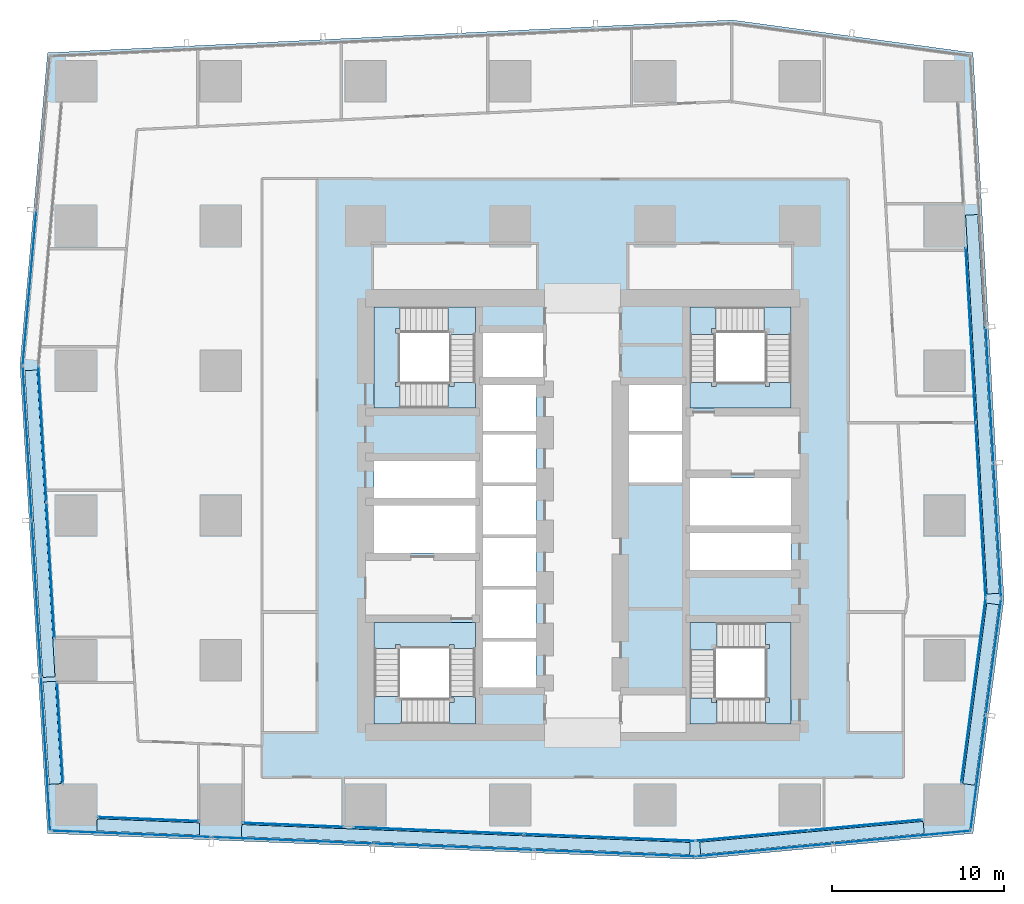
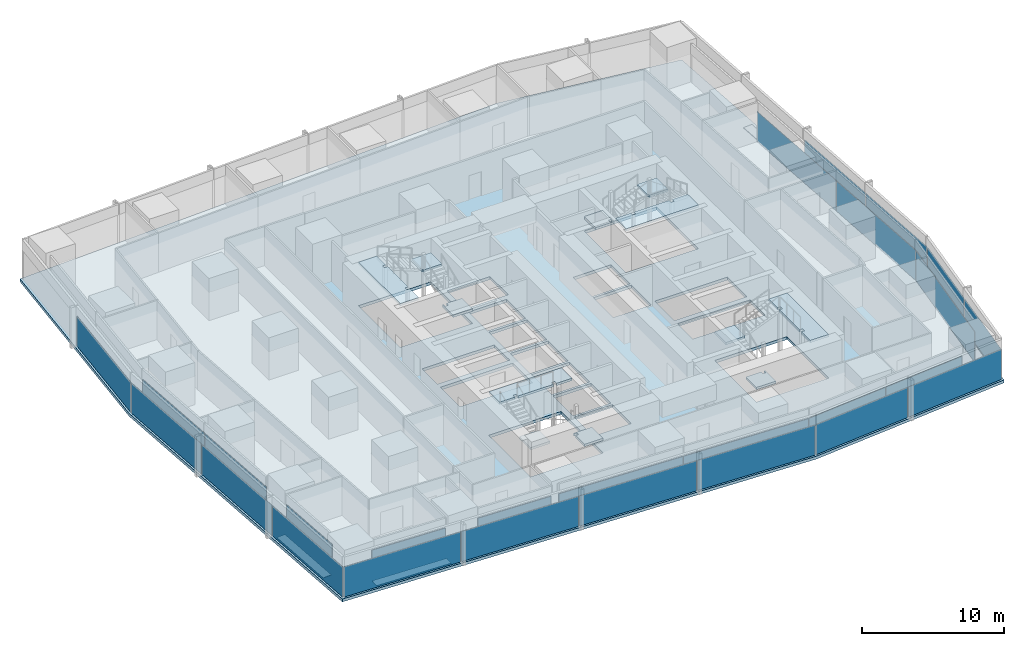
# One storey, part 23 of 37: 33 plates, 13 slabs, 18 elements without a shape of their own.
"""IFC4 building model written with IfcOpenShell, lengths in metres."""

from ifc_helpers import new_model, si_unit, direction, frame, origin, origin_2d, place, context, subcontext, project, spatial, polyline, rectangle, outline, extrude, material, layer, layer_set, type_object, element, aggregate, save


model = new_model("IFC4")

# Units and contexts
model_context = context("Model", 3, precision=1e-05, world=origin(), true_north=direction((0.0, 1.0)))
body_context = subcontext(model_context, "Body", "Model", "MODEL_VIEW")
ifc_project = project(units=[si_unit("LENGTHUNIT", "METRE"), si_unit("AREAUNIT", "SQUARE_METRE"), si_unit("VOLUMEUNIT", "CUBIC_METRE"), si_unit("PLANEANGLEUNIT", "RADIAN"), si_unit("MASSUNIT", "GRAM", prefix="KILO")], contexts=[model_context])

# Site, building, storey
site_placement = place(None, origin())
site = spatial("IfcSite", under=ifc_project, at=site_placement, CompositionType="ELEMENT")
building_placement = place(site_placement, origin())
building = spatial("IfcBuilding", under=site, at=building_placement, Name="Rekha Terrace Tower", CompositionType="ELEMENT")
storey_placement = place(building_placement, frame((0.0, 0.0, 232.699951171875)))
storey = spatial("IfcBuildingStorey", under=building, at=storey_placement, Name="L59", CompositionType="ELEMENT", Elevation=232.699951171875)

# Curtain wall, plate
ifc_material_1 = material(Name="Aluminium framing", Category="aluminium")
curtain_wall_type_1 = type_object("IfcCurtainWallType", Name="CW1 double skin inner glazing", PredefinedType="USERDEFINED", material=ifc_material_1)
curtain_wall_1_placement = place(storey_placement, origin())
curtain_wall_1 = element("IfcCurtainWall", 1, at=curtain_wall_1_placement, inside=storey, type_object=curtain_wall_type_1, Name="CW1 double skin inner glazing", ObjectType="DOUBLE SKIN INNER GLAZING", PredefinedType="USERDEFINED")
ifc_material_2 = material(Name="Double-glazed low-e unit 32", Category="glass")
ifc_layer_1 = layer(ifc_material_2, 0.031982421875)
ifc_layer_set_1 = layer_set([ifc_layer_1], Name="Double-glazed low-e unit 32")
plate_type_1 = type_object("IfcPlateType", Name="CW1 jumbo vision panel, double-glazed low-e unit 32", PredefinedType="CURTAIN_PANEL", material=ifc_layer_set_1)
plate_1_placement = place(storey_placement, frame((12.60009765625, 15.977294921875, 0.0), z_axis=(0.0, 0.0, 1.0), x_axis=(0.999204775798, -0.039872497078, 0.0)))
plate_1 = element("IfcPlate", 2, at=plate_1_placement, type_object=plate_type_1, Name="CW1 panel 1.1", PredefinedType="CURTAIN_PANEL", context=body_context, shape_type="SweptSolid", body=[
    extrude(rectangle(XDim=5.8271484375, YDim=0.031982421875, at=origin_2d()), origin(), (0.0, 0.0, 1.0), 2.60009765625),
])
aggregate(curtain_wall_1, [plate_1])

curtain_wall_2_placement = place(storey_placement, origin())
curtain_wall_2 = element("IfcCurtainWall", 3, at=curtain_wall_2_placement, inside=storey, type_object=curtain_wall_type_1, Name="CW1 double skin inner glazing", ObjectType="DOUBLE SKIN INNER GLAZING", PredefinedType="USERDEFINED")
plate_2_placement = place(storey_placement, frame((21.0, 15.64208984375, 0.0), z_axis=(0.0, 0.0, 1.0), x_axis=(0.999204775798, -0.039872497078, 0.0)))
plate_2 = element("IfcPlate", 4, at=plate_2_placement, type_object=plate_type_1, Name="CW1 panel 1.1", PredefinedType="CURTAIN_PANEL", context=body_context, shape_type="SweptSolid", body=[
    extrude(rectangle(XDim=5.8271484375, YDim=0.031982421875, at=origin_2d()), origin(), (0.0, 0.0, 1.0), 2.60009765625),
])
aggregate(curtain_wall_2, [plate_2])

# Curtain wall, plates
curtain_wall_3_placement = place(storey_placement, origin())
curtain_wall_3 = element("IfcCurtainWall", 5, at=curtain_wall_3_placement, inside=storey, type_object=curtain_wall_type_1, Name="CW1 double skin inner glazing", ObjectType="DOUBLE SKIN INNER GLAZING", PredefinedType="USERDEFINED")
plate_3_placement = place(storey_placement, frame((29.4365234375, 15.3056640625, 0.0), z_axis=(0.0, 0.0, 1.0), x_axis=(0.999204775799, -0.039872497044, 0.0)))
plate_3 = element("IfcPlate", 6, at=plate_3_placement, type_object=plate_type_1, Name="CW1 panel 1.1", PredefinedType="CURTAIN_PANEL", context=body_context, shape_type="SweptSolid", body=[
    extrude(rectangle(XDim=9.838134765625, YDim=0.031982421875, at=origin_2d()), origin(), (0.0, 0.0, 1.0), 2.60009765625),
])
plate_4_placement = place(storey_placement, frame((39.3642578125, 14.909423828125, 0.0), z_axis=(0.0, 0.0, 1.0), x_axis=(0.999204775799, -0.039872497044, 0.0)))
plate_4 = element("IfcPlate", 7, at=plate_4_placement, type_object=plate_type_1, Name="CW1 panel 2.1", PredefinedType="CURTAIN_PANEL", context=body_context, shape_type="SweptSolid", body=[
    extrude(rectangle(XDim=9.903076171875, YDim=0.031982421875, at=origin_2d()), origin(), (0.0, 0.0, 1.0), 2.60009765625),
])
aggregate(curtain_wall_3, [plate_3, plate_4])

curtain_wall_4_placement = place(storey_placement, origin())
curtain_wall_4 = element("IfcCurtainWall", 8, at=curtain_wall_4_placement, inside=storey, type_object=curtain_wall_type_1, Name="CW1 double skin inner glazing", ObjectType="DOUBLE SKIN INNER GLAZING", PredefinedType="USERDEFINED")
plate_5_placement = place(storey_placement, frame((47.642822265625, 15.022216796875, 0.0), z_axis=(0.0, 0.0, 1.0), x_axis=(0.995693258744, 0.092708869546, 0.0)))
plate_5 = element("IfcPlate", 9, at=plate_5_placement, type_object=plate_type_1, Name="CW1 panel 1.1", PredefinedType="CURTAIN_PANEL", context=body_context, shape_type="SweptSolid", body=[
    extrude(rectangle(XDim=6.560791015625, YDim=0.031982421875, at=origin_2d()), origin(), (0.0, 0.0, 1.0), 2.60009765625),
])
plate_6_placement = place(storey_placement, frame((54.240234375, 15.636474609375, 0.0), z_axis=(0.0, 0.0, 1.0), x_axis=(0.995693258744, 0.092708869546, 0.0)))
plate_6 = element("IfcPlate", 10, at=plate_6_placement, type_object=plate_type_1, Name="CW1 panel 2.1", PredefinedType="CURTAIN_PANEL", context=body_context, shape_type="SweptSolid", body=[
    extrude(rectangle(XDim=6.560791015625, YDim=0.031982421875, at=origin_2d()), origin(), (0.0, 0.0, 1.0), 2.60009765625),
])
aggregate(curtain_wall_4, [plate_5, plate_6])

# Curtain wall, plate
curtain_wall_5_placement = place(storey_placement, origin())
curtain_wall_5 = element("IfcCurtainWall", 11, at=curtain_wall_5_placement, inside=storey, type_object=curtain_wall_type_1, Name="CW1 double skin inner glazing", ObjectType="DOUBLE SKIN INNER GLAZING", PredefinedType="USERDEFINED")
plate_7_placement = place(storey_placement, frame((60.478515625, 23.438232421875, 0.0), z_axis=(0.0, 0.0, 1.0), x_axis=(0.131303603041, 0.991342203191, 0.0)))
plate_7 = element("IfcPlate", 12, at=plate_7_placement, type_object=plate_type_1, Name="CW1 panel 1.1", PredefinedType="CURTAIN_PANEL", context=body_context, shape_type="SweptSolid", body=[
    extrude(rectangle(XDim=10.7763671875, YDim=0.031982421875, at=origin_2d()), origin(), (0.0, 0.0, 1.0), 2.60009765625),
])
aggregate(curtain_wall_5, [plate_7])

# Curtain wall, plates
curtain_wall_6_placement = place(storey_placement, origin())
curtain_wall_6 = element("IfcCurtainWall", 13, at=curtain_wall_6_placement, inside=storey, type_object=curtain_wall_type_1, Name="CW1 double skin inner glazing", ObjectType="DOUBLE SKIN INNER GLAZING", PredefinedType="USERDEFINED")
plate_8_placement = place(storey_placement, frame((60.8955078125, 33.896484375, 0.0), z_axis=(0.0, 0.0, 1.0), x_axis=(-0.056673194877, 0.998392782918, 0.0)))
plate_8 = element("IfcPlate", 14, at=plate_8_placement, type_object=plate_type_1, Name="CW1 panel 1.1", PredefinedType="CURTAIN_PANEL", context=body_context, shape_type="SweptSolid", body=[
    extrude(rectangle(XDim=10.11962890625, YDim=0.031982421875, at=origin_2d()), origin(), (0.0, 0.0, 1.0), 2.60009765625),
])
plate_9_placement = place(storey_placement, frame((60.318359375, 44.06494140625, 0.0), z_axis=(0.0, 0.0, 1.0), x_axis=(-0.056673194877, 0.998392782918, 0.0)))
plate_9 = element("IfcPlate", 15, at=plate_9_placement, type_object=plate_type_1, Name="CW1 panel 2.1", PredefinedType="CURTAIN_PANEL", context=body_context, shape_type="SweptSolid", body=[
    extrude(rectangle(XDim=10.11962890625, YDim=0.031982421875, at=origin_2d()), origin(), (0.0, 0.0, 1.0), 2.60009765625),
])
aggregate(curtain_wall_6, [plate_8, plate_9])

curtain_wall_7_placement = place(storey_placement, origin())
curtain_wall_7 = element("IfcCurtainWall", 16, at=curtain_wall_7_placement, inside=storey, type_object=curtain_wall_type_1, Name="CW1 double skin inner glazing", ObjectType="DOUBLE SKIN INNER GLAZING", PredefinedType="USERDEFINED")
plate_10_placement = place(storey_placement, frame((6.44775390625, 38.323974609375, 0.0), z_axis=(0.0, 0.0, 1.0), x_axis=(0.058765082551, -0.998271839267, 0.0)))
plate_10 = element("IfcPlate", 17, at=plate_10_placement, type_object=plate_type_1, Name="CW1 panel 1.1", PredefinedType="CURTAIN_PANEL", context=body_context, shape_type="SweptSolid", body=[
    extrude(rectangle(XDim=7.864990234375, YDim=0.031982421875, at=origin_2d()), origin(), (0.0, 0.0, 1.0), 2.60009765625),
])
plate_11_placement = place(storey_placement, frame((6.91357421875, 30.407470703125, 0.0), z_axis=(0.0, 0.0, 1.0), x_axis=(0.058765082551, -0.998271839267, 0.0)))
plate_11 = element("IfcPlate", 18, at=plate_11_placement, type_object=plate_type_1, Name="CW1 panel 2.1", PredefinedType="CURTAIN_PANEL", context=body_context, shape_type="SweptSolid", body=[
    extrude(rectangle(XDim=7.864990234375, YDim=0.031982421875, at=origin_2d()), origin(), (0.0, 0.0, 1.0), 2.60009765625),
])
aggregate(curtain_wall_7, [plate_10, plate_11])

# Curtain wall, plate
curtain_wall_8_placement = place(storey_placement, origin())
curtain_wall_8 = element("IfcCurtainWall", 19, at=curtain_wall_8_placement, inside=storey, type_object=curtain_wall_type_1, Name="CW1 double skin inner glazing", ObjectType="DOUBLE SKIN INNER GLAZING", PredefinedType="USERDEFINED")
plate_12_placement = place(storey_placement, frame((7.467529296875, 21.0, 0.0), z_axis=(0.0, 0.0, 1.0), x_axis=(0.058765082499, -0.99827183927, 0.0)))
plate_12 = element("IfcPlate", 20, at=plate_12_placement, type_object=plate_type_1, Name="CW1 panel 1.1", PredefinedType="CURTAIN_PANEL", context=body_context, shape_type="SweptSolid", body=[
    extrude(rectangle(XDim=5.8291015625, YDim=0.031982421875, at=origin_2d()), origin(), (0.0, 0.0, 1.0), 2.60009765625),
])
aggregate(curtain_wall_8, [plate_12])

# Curtain wall, plates
curtain_wall_type_2 = type_object("IfcCurtainWallType", Name="CW2 double skin outer glazing", PredefinedType="USERDEFINED", material=ifc_material_1)
curtain_wall_9_placement = place(storey_placement, origin())
curtain_wall_9 = element("IfcCurtainWall", 21, at=curtain_wall_9_placement, inside=storey, type_object=curtain_wall_type_2, Name="CW2 double skin outer glazing", ObjectType="DOUBLE SKIN OUTER GLAZING", PredefinedType="USERDEFINED")
ifc_material_3 = material(Name="Toughened single glazing 12", Category="glass")
ifc_layer_2 = layer(ifc_material_3, 0.011962890625)
ifc_layer_set_2 = layer_set([ifc_layer_2], Name="Toughened single glazing 12")
plate_type_2 = type_object("IfcPlateType", Name="CW2 jumbo vision panel, toughened single glazing 12", PredefinedType="CURTAIN_PANEL", material=ifc_layer_set_2)
plate_13_placement = place(storey_placement, frame((11.6005859375, 15.116455078125, 0.0), z_axis=(0.0, 0.0, 1.0), x_axis=(0.999204775799, -0.039872497044, 0.0)))
plate_13 = element("IfcPlate", 22, at=plate_13_placement, type_object=plate_type_2, Name="CW2 panel 1.1", PredefinedType="CURTAIN_PANEL", context=body_context, shape_type="SweptSolid", body=[
    extrude(rectangle(XDim=9.24609375, YDim=0.011962890625, at=origin_2d()), origin(), (0.0, 0.0, 1.0), 2.60009765625),
])
plate_14_placement = place(storey_placement, frame((20.939208984375, 14.743896484375, 0.0), z_axis=(0.0, 0.0, 1.0), x_axis=(0.999204775799, -0.039872497044, 0.0)))
plate_14 = element("IfcPlate", 23, at=plate_14_placement, type_object=plate_type_2, Name="CW2 panel 2.1", PredefinedType="CURTAIN_PANEL", context=body_context, shape_type="SweptSolid", body=[
    extrude(rectangle(XDim=9.2861328125, YDim=0.011962890625, at=origin_2d()), origin(), (0.0, 0.0, 1.0), 2.60009765625),
])
plate_15_placement = place(storey_placement, frame((30.2978515625, 14.370361328125, 0.0), z_axis=(0.0, 0.0, 1.0), x_axis=(0.999204775799, -0.039872497044, 0.0)))
plate_15 = element("IfcPlate", 24, at=plate_15_placement, type_object=plate_type_2, Name="CW2 panel 3.1", PredefinedType="CURTAIN_PANEL", context=body_context, shape_type="SweptSolid", body=[
    extrude(rectangle(XDim=9.2861328125, YDim=0.011962890625, at=origin_2d()), origin(), (0.0, 0.0, 1.0), 2.60009765625),
])
plate_16_placement = place(storey_placement, frame((39.676513671875, 13.996337890625, 0.0), z_axis=(0.0, 0.0, 1.0), x_axis=(0.999204775799, -0.039872497044, 0.0)))
plate_16 = element("IfcPlate", 25, at=plate_16_placement, type_object=plate_type_2, Name="CW2 panel 4.1", PredefinedType="CURTAIN_PANEL", context=body_context, shape_type="SweptSolid", body=[
    extrude(rectangle(XDim=9.326171875, YDim=0.011962890625, at=origin_2d()), origin(), (0.0, 0.0, 1.0), 2.60009765625),
])
aggregate(curtain_wall_9, [plate_13, plate_14, plate_15, plate_16])

curtain_wall_10_placement = place(storey_placement, origin())
curtain_wall_10 = element("IfcCurtainWall", 26, at=curtain_wall_10_placement, inside=storey, type_object=curtain_wall_type_2, Name="CW2 double skin outer glazing", ObjectType="DOUBLE SKIN OUTER GLAZING", PredefinedType="USERDEFINED")
plate_17_placement = place(storey_placement, frame((48.348876953125, 14.183837890625, 0.0), z_axis=(0.0, 0.0, 1.0), x_axis=(0.995693258747, 0.092708869512, 0.0)))
plate_17 = element("IfcPlate", 27, at=plate_17_placement, type_object=plate_type_2, Name="CW2 panel 1.1", PredefinedType="CURTAIN_PANEL", context=body_context, shape_type="SweptSolid", body=[
    extrude(rectangle(XDim=7.900634765625, YDim=0.011962890625, at=origin_2d()), origin(), (0.0, 0.0, 1.0), 2.60009765625),
])
plate_18_placement = place(storey_placement, frame((56.3349609375, 14.927490234375, 0.0), z_axis=(0.0, 0.0, 1.0), x_axis=(0.995693258747, 0.092708869512, 0.0)))
plate_18 = element("IfcPlate", 28, at=plate_18_placement, type_object=plate_type_2, Name="CW2 panel 2.1", PredefinedType="CURTAIN_PANEL", context=body_context, shape_type="SweptSolid", body=[
    extrude(rectangle(XDim=7.980712890625, YDim=0.011962890625, at=origin_2d()), origin(), (0.0, 0.0, 1.0), 2.60009765625),
])
aggregate(curtain_wall_10, [plate_17, plate_18])

curtain_wall_11_placement = place(storey_placement, origin())
curtain_wall_11 = element("IfcCurtainWall", 29, at=curtain_wall_11_placement, inside=storey, type_object=curtain_wall_type_2, Name="CW2 double skin outer glazing", ObjectType="DOUBLE SKIN OUTER GLAZING", PredefinedType="USERDEFINED")
plate_19_placement = place(storey_placement, frame((60.756103515625, 18.679443359375, 0.0), z_axis=(0.0, 0.0, 1.0), x_axis=(0.131303603075, 0.991342203187, 0.0)))
plate_19 = element("IfcPlate", 30, at=plate_19_placement, type_object=plate_type_2, Name="CW2 panel 1.1", PredefinedType="CURTAIN_PANEL", context=body_context, shape_type="SweptSolid", body=[
    extrude(rectangle(XDim=6.6630859375, YDim=0.011962890625, at=origin_2d()), origin(), (0.0, 0.0, 1.0), 2.60009765625),
])
plate_20_placement = place(storey_placement, frame((61.646728515625, 25.40380859375, 0.0), z_axis=(0.0, 0.0, 1.0), x_axis=(0.131303603075, 0.991342203187, 0.0)))
plate_20 = element("IfcPlate", 31, at=plate_20_placement, type_object=plate_type_2, Name="CW2 panel 2.1", PredefinedType="CURTAIN_PANEL", context=body_context, shape_type="SweptSolid", body=[
    extrude(rectangle(XDim=6.742919921875, YDim=0.011962890625, at=origin_2d()), origin(), (0.0, 0.0, 1.0), 2.60009765625),
])
aggregate(curtain_wall_11, [plate_19, plate_20])

curtain_wall_12_placement = place(storey_placement, origin())
curtain_wall_12 = element("IfcCurtainWall", 32, at=curtain_wall_12_placement, inside=storey, type_object=curtain_wall_type_2, Name="CW2 double skin outer glazing", ObjectType="DOUBLE SKIN OUTER GLAZING", PredefinedType="USERDEFINED")
plate_21_placement = place(storey_placement, frame((61.8642578125, 32.71142578125, 0.0), z_axis=(0.0, 0.0, 1.0), x_axis=(-0.05667319486, 0.998392782919, 0.0)))
plate_21 = element("IfcPlate", 33, at=plate_21_placement, type_object=plate_type_2, Name="CW2 panel 1.1", PredefinedType="CURTAIN_PANEL", context=body_context, shape_type="SweptSolid", body=[
    extrude(rectangle(XDim=7.783447265625, YDim=0.011962890625, at=origin_2d()), origin(), (0.0, 0.0, 1.0), 2.60009765625),
])
plate_22_placement = place(storey_placement, frame((61.41748046875, 40.582275390625, 0.0), z_axis=(0.0, 0.0, 1.0), x_axis=(-0.05667319486, 0.998392782919, 0.0)))
plate_22 = element("IfcPlate", 34, at=plate_22_placement, type_object=plate_type_2, Name="CW2 panel 2.1", PredefinedType="CURTAIN_PANEL", context=body_context, shape_type="SweptSolid", body=[
    extrude(rectangle(XDim=7.823486328125, YDim=0.011962890625, at=origin_2d()), origin(), (0.0, 0.0, 1.0), 2.60009765625),
])
aggregate(curtain_wall_12, [plate_21, plate_22])

# Curtain wall, plate
curtain_wall_13_placement = place(storey_placement, origin())
curtain_wall_13 = element("IfcCurtainWall", 35, at=curtain_wall_13_placement, inside=storey, type_object=curtain_wall_type_2, Name="CW2 double skin outer glazing", ObjectType="DOUBLE SKIN OUTER GLAZING", PredefinedType="USERDEFINED")
plate_23_placement = place(storey_placement, frame((5.705322265625, 46.800048828125, 0.0), z_axis=(0.0, 0.0, 1.0), x_axis=(-0.087957985453, -0.996124185428, 0.0)))
plate_23 = element("IfcPlate", 36, at=plate_23_placement, type_object=plate_type_2, Name="CW2 panel 2.1", PredefinedType="CURTAIN_PANEL", context=body_context, shape_type="SweptSolid", body=[
    extrude(rectangle(XDim=8.9794921875, YDim=0.011962890625, at=origin_2d()), origin(), (0.0, 0.0, 1.0), 2.60009765625),
])
aggregate(curtain_wall_13, [plate_23])

# Curtain wall, plates
curtain_wall_14_placement = place(storey_placement, origin())
curtain_wall_14 = element("IfcCurtainWall", 37, at=curtain_wall_14_placement, inside=storey, type_object=curtain_wall_type_2, Name="CW2 double skin outer glazing", ObjectType="DOUBLE SKIN OUTER GLAZING", PredefinedType="USERDEFINED")
plate_24_placement = place(storey_placement, frame((5.57666015625, 37.8037109375, 0.0), z_axis=(0.0, 0.0, 1.0), x_axis=(0.058765082499, -0.99827183927, 0.0)))
plate_24 = element("IfcPlate", 38, at=plate_24_placement, type_object=plate_type_2, Name="CW2 panel 1.1", PredefinedType="CURTAIN_PANEL", context=body_context, shape_type="SweptSolid", body=[
    extrude(rectangle(XDim=8.903564453125, YDim=0.011962890625, at=origin_2d()), origin(), (0.0, 0.0, 1.0), 2.60009765625),
])
plate_25_placement = place(storey_placement, frame((6.105712890625, 28.81591796875, 0.0), z_axis=(0.0, 0.0, 1.0), x_axis=(0.058765082499, -0.99827183927, 0.0)))
plate_25 = element("IfcPlate", 39, at=plate_25_placement, type_object=plate_type_2, Name="CW2 panel 2.1", PredefinedType="CURTAIN_PANEL", context=body_context, shape_type="SweptSolid", body=[
    extrude(rectangle(XDim=8.943359375, YDim=0.011962890625, at=origin_2d()), origin(), (0.0, 0.0, 1.0), 2.60009765625),
])
plate_26_placement = place(storey_placement, frame((6.63720703125, 19.7880859375, 0.0), z_axis=(0.0, 0.0, 1.0), x_axis=(0.058765082499, -0.99827183927, 0.0)))
plate_26 = element("IfcPlate", 40, at=plate_26_placement, type_object=plate_type_2, Name="CW2 panel 3.1", PredefinedType="CURTAIN_PANEL", context=body_context, shape_type="SweptSolid", body=[
    extrude(rectangle(XDim=8.9833984375, YDim=0.011962890625, at=origin_2d()), origin(), (0.0, 0.0, 1.0), 2.60009765625),
])
aggregate(curtain_wall_14, [plate_24, plate_25, plate_26])

# Plates
ifc_material_4 = material(Name="Galvanised steel open grating", Category="steel")
ifc_layer_3 = layer(ifc_material_4, 0.050048828125)
ifc_layer_set_3 = layer_set([ifc_layer_3], Name="Galvanised steel open grating")
plate_type_3 = type_object("IfcPlateType", Name="GT1 cavity walkway grating 50", PredefinedType="USERDEFINED", material=ifc_layer_set_3)
plate_27_placement = place(storey_placement, frame((12.593505859375, 15.52734375, 0.0), z_axis=(0.0, 0.0, 1.0), x_axis=(0.999204775799, -0.039872497044, 0.0)))
element("IfcPlate", 41, at=plate_27_placement, inside=storey, type_object=plate_type_3, Name="Cavity walkway grating", ObjectType="CAVITY WALKWAY GRATING", PredefinedType="USERDEFINED", context=body_context, shape_type="SweptSolid", body=[
    extrude(rectangle(XDim=5.947998046875, YDim=0.705078125, at=origin_2d()), origin(), (0.0, 0.0, 1.0), 0.050048828125),
])
plate_28_placement = place(storey_placement, frame((31.016357421875, 14.792236328125, 0.0), z_axis=(0.0, 0.0, 1.0), x_axis=(0.999204775799, -0.039872497044, 0.0)))
element("IfcPlate", 42, at=plate_28_placement, inside=storey, type_object=plate_type_3, Name="Cavity walkway grating", ObjectType="CAVITY WALKWAY GRATING", PredefinedType="USERDEFINED", context=body_context, shape_type="SweptSolid", body=[
    extrude(rectangle(XDim=26.036376953125, YDim=0.705078125, at=origin_2d()), origin(), (0.0, 0.0, 1.0), 0.050048828125),
])
plate_29_placement = place(storey_placement, frame((51.10595703125, 14.892578125, 0.0), z_axis=(0.0, 0.0, 1.0), x_axis=(0.995693258745, 0.092708869529, 0.0)))
element("IfcPlate", 43, at=plate_29_placement, inside=storey, type_object=plate_type_3, Name="Cavity walkway grating", ObjectType="CAVITY WALKWAY GRATING", PredefinedType="USERDEFINED", context=body_context, shape_type="SweptSolid", body=[
    extrude(rectangle(XDim=13.023193359375, YDim=0.705078125, at=origin_2d()), origin(), (0.0, 0.0, 1.0), 0.050048828125),
])
plate_30_placement = place(storey_placement, frame((60.90478515625, 23.22900390625, 0.0), z_axis=(0.0, 0.0, 1.0), x_axis=(0.131303603075, 0.991342203187, 0.0)))
element("IfcPlate", 44, at=plate_30_placement, inside=storey, type_object=plate_type_3, Name="Cavity walkway grating", ObjectType="CAVITY WALKWAY GRATING", PredefinedType="USERDEFINED", context=body_context, shape_type="SweptSolid", body=[
    extrude(rectangle(XDim=10.56494140625, YDim=0.705078125, at=origin_2d()), origin(), (0.0, 0.0, 1.0), 0.050048828125),
])
plate_31_placement = place(storey_placement, frame((60.996826171875, 40.052490234375, 0.0), z_axis=(0.0, 0.0, 1.0), x_axis=(-0.05667319486, 0.998392782919, 0.0)))
element("IfcPlate", 45, at=plate_31_placement, inside=storey, type_object=plate_type_3, Name="Cavity walkway grating", ObjectType="CAVITY WALKWAY GRATING", PredefinedType="USERDEFINED", context=body_context, shape_type="SweptSolid", body=[
    extrude(rectangle(XDim=22.015380859375, YDim=0.705078125, at=origin_2d()), origin(), (0.0, 0.0, 1.0), 0.050048828125),
])
plate_32_placement = place(storey_placement, frame((6.302978515625, 33.1220703125, 0.0), z_axis=(0.0, 0.0, 1.0), x_axis=(0.058765082516, -0.998271839269, 0.0)))
element("IfcPlate", 46, at=plate_32_placement, inside=storey, type_object=plate_type_3, Name="Cavity walkway grating", ObjectType="CAVITY WALKWAY GRATING", PredefinedType="USERDEFINED", context=body_context, shape_type="SweptSolid", body=[
    extrude(rectangle(XDim=17.82958984375, YDim=0.705078125, at=origin_2d()), origin(), (0.0, 0.0, 1.0), 0.050048828125),
])
plate_33_placement = place(storey_placement, frame((7.017333984375, 20.98876953125, 0.0), z_axis=(0.0, 0.0, 1.0), x_axis=(0.058765082516, -0.998271839269, 0.0)))
element("IfcPlate", 47, at=plate_33_placement, inside=storey, type_object=plate_type_3, Name="Cavity walkway grating", ObjectType="CAVITY WALKWAY GRATING", PredefinedType="USERDEFINED", context=body_context, shape_type="SweptSolid", body=[
    extrude(rectangle(XDim=5.948974609375, YDim=0.705078125, at=origin_2d()), origin(), (0.0, 0.0, 1.0), 0.050048828125),
])

# Stair, slabs
ifc_material_5 = material(Name="Concrete M40", Category="concrete")
stair_type = type_object("IfcStairType", Name="ST30 stair, 30 risers of 125, going 310, 1500 wide flights, 3 flights", PredefinedType="HALF_TURN_STAIR", material=ifc_material_5)
stair_1_placement = place(storey_placement, origin())
stair_1 = element("IfcStair", 48, at=stair_1_placement, inside=storey, type_object=stair_type, Name="Stair ST1 L59 to L60", PredefinedType="HALF_TURN_STAIR")
ifc_layer_4 = layer(ifc_material_5, 0.199951171875)
ifc_layer_set_4 = layer_set([ifc_layer_4], Name="Concrete M40")
slab_type_1 = type_object("IfcSlabType", Name="LD1 200 concrete stair landing", PredefinedType="LANDING", material=ifc_layer_set_4)
slab_1_placement = place(storey_placement, frame((0.0, 0.0, 1.050048828125)))
slab_1 = element("IfcSlab", 49, at=slab_1_placement, type_object=slab_type_1, Name="ST1 landing 1", PredefinedType="LANDING", context=body_context, shape_type="SweptSolid", body=[
    extrude(outline(polyline([(30.074951171875, 21.5), (31.574951171875, 21.5), (31.574951171875, 23.0849609375), (30.074951171875, 23.0849609375), (30.074951171875, 23.0), (30.324951171875, 23.0), (30.324951171875, 22.75), (30.074951171875, 22.75), (30.074951171875, 21.5)])), origin(), (0.0, 0.0, 1.0), 0.199951171875),
])
slab_2_placement = place(storey_placement, frame((0.0, 0.0, 2.300048828125)))
slab_2 = element("IfcSlab", 50, at=slab_2_placement, type_object=slab_type_1, Name="ST1 landing 2", PredefinedType="LANDING", context=body_context, shape_type="SweptSolid", body=[
    extrude(outline(polyline([(27.199951171875, 23.0849609375), (25.699951171875, 23.0849609375), (25.699951171875, 21.5), (27.284912109375, 21.5), (27.284912109375, 23.0), (27.199951171875, 23.0), (27.199951171875, 23.0849609375)])), origin(), (0.0, 0.0, 1.0), 0.199951171875),
])
slab_3_placement = place(storey_placement, frame((0.0, 0.0, 3.550048828125)))
slab_3 = element("IfcSlab", 51, at=slab_3_placement, type_object=slab_type_1, Name="ST1 landing 3", PredefinedType="LANDING", context=body_context, shape_type="SweptSolid", body=[
    extrude(outline(polyline([(31.574951171875, 25.875), (31.574951171875, 27.375), (25.699951171875, 27.375), (25.699951171875, 25.875), (26.949951171875, 25.875), (26.949951171875, 26.125), (27.199951171875, 26.125), (27.199951171875, 25.875), (30.074951171875, 25.875), (30.074951171875, 26.125), (30.324951171875, 26.125), (30.324951171875, 25.875), (31.574951171875, 25.875)])), origin(), (0.0, 0.0, 1.0), 0.199951171875),
])
aggregate(stair_1, [slab_1, slab_2, slab_3])

stair_2_placement = place(storey_placement, origin())
stair_2 = element("IfcStair", 52, at=stair_2_placement, inside=storey, type_object=stair_type, Name="Stair ST2 L59 to L60", PredefinedType="HALF_TURN_STAIR")
slab_4_placement = place(storey_placement, frame((0.0, 0.0, 1.050048828125)))
slab_4 = element("IfcSlab", 53, at=slab_4_placement, type_object=slab_type_1, Name="ST2 landing 1", PredefinedType="LANDING", context=body_context, shape_type="SweptSolid", body=[
    extrude(outline(polyline([(45.52490234375, 45.699951171875), (44.02490234375, 45.699951171875), (44.02490234375, 44.114990234375), (45.52490234375, 44.114990234375), (45.52490234375, 44.199951171875), (45.27490234375, 44.199951171875), (45.27490234375, 44.449951171875), (45.52490234375, 44.449951171875), (45.52490234375, 45.699951171875)])), origin(), (0.0, 0.0, 1.0), 0.199951171875),
])
slab_5_placement = place(storey_placement, frame((0.0, 0.0, 2.300048828125)))
slab_5 = element("IfcSlab", 54, at=slab_5_placement, type_object=slab_type_1, Name="ST2 landing 2", PredefinedType="LANDING", context=body_context, shape_type="SweptSolid", body=[
    extrude(outline(polyline([(48.39990234375, 44.114990234375), (49.89990234375, 44.114990234375), (49.89990234375, 45.699951171875), (48.31494140625, 45.699951171875), (48.31494140625, 44.199951171875), (48.39990234375, 44.199951171875), (48.39990234375, 44.114990234375)])), origin(), (0.0, 0.0, 1.0), 0.199951171875),
])
slab_6_placement = place(storey_placement, frame((0.0, 0.0, 3.550048828125)))
slab_6 = element("IfcSlab", 55, at=slab_6_placement, type_object=slab_type_1, Name="ST2 landing 3", PredefinedType="LANDING", context=body_context, shape_type="SweptSolid", body=[
    extrude(outline(polyline([(44.02490234375, 41.324951171875), (44.02490234375, 39.824951171875), (49.89990234375, 39.824951171875), (49.89990234375, 41.324951171875), (48.64990234375, 41.324951171875), (48.64990234375, 41.074951171875), (48.39990234375, 41.074951171875), (48.39990234375, 41.324951171875), (45.52490234375, 41.324951171875), (45.52490234375, 41.074951171875), (45.27490234375, 41.074951171875), (45.27490234375, 41.324951171875), (44.02490234375, 41.324951171875)])), origin(), (0.0, 0.0, 1.0), 0.199951171875),
])
aggregate(stair_2, [slab_4, slab_5, slab_6])

stair_3_placement = place(storey_placement, origin())
stair_3 = element("IfcStair", 56, at=stair_3_placement, inside=storey, type_object=stair_type, Name="Stair ST3 L59 to L60", PredefinedType="HALF_TURN_STAIR")
slab_7_placement = place(storey_placement, frame((0.0, 0.0, 1.050048828125)))
slab_7 = element("IfcSlab", 57, at=slab_7_placement, type_object=slab_type_1, Name="ST3 landing 1", PredefinedType="LANDING", context=body_context, shape_type="SweptSolid", body=[
    extrude(outline(polyline([(44.02490234375, 23.0), (44.02490234375, 21.5), (45.610107421875, 21.5), (45.610107421875, 23.0), (45.52490234375, 23.0), (45.52490234375, 22.75), (45.27490234375, 22.75), (45.27490234375, 23.0), (44.02490234375, 23.0)])), origin(), (0.0, 0.0, 1.0), 0.199951171875),
])
slab_8_placement = place(storey_placement, frame((0.0, 0.0, 2.300048828125)))
slab_8 = element("IfcSlab", 58, at=slab_8_placement, type_object=slab_type_1, Name="ST3 landing 2", PredefinedType="LANDING", context=body_context, shape_type="SweptSolid", body=[
    extrude(outline(polyline([(45.610107421875, 25.875), (45.610107421875, 27.375), (44.02490234375, 27.375), (44.02490234375, 25.7900390625), (45.52490234375, 25.7900390625), (45.52490234375, 25.875), (45.610107421875, 25.875)])), origin(), (0.0, 0.0, 1.0), 0.199951171875),
])
slab_9_placement = place(storey_placement, frame((0.0, 0.0, 3.550048828125)))
slab_9 = element("IfcSlab", 59, at=slab_9_placement, type_object=slab_type_1, Name="ST3 landing 3", PredefinedType="LANDING", context=body_context, shape_type="SweptSolid", body=[
    extrude(outline(polyline([(48.39990234375, 21.5), (49.89990234375, 21.5), (49.89990234375, 27.375), (48.39990234375, 27.375), (48.39990234375, 26.125), (48.64990234375, 26.125), (48.64990234375, 25.875), (48.39990234375, 25.875), (48.39990234375, 23.0), (48.64990234375, 23.0), (48.64990234375, 22.75), (48.39990234375, 22.75), (48.39990234375, 21.5)])), origin(), (0.0, 0.0, 1.0), 0.199951171875),
])
aggregate(stair_3, [slab_7, slab_8, slab_9])

stair_4_placement = place(storey_placement, origin())
stair_4 = element("IfcStair", 60, at=stair_4_placement, inside=storey, type_object=stair_type, Name="Stair ST4 L59 to L60", PredefinedType="HALF_TURN_STAIR")
slab_10_placement = place(storey_placement, frame((0.0, 0.0, 1.050048828125)))
slab_10 = element("IfcSlab", 61, at=slab_10_placement, type_object=slab_type_1, Name="ST4 landing 1", PredefinedType="LANDING", context=body_context, shape_type="SweptSolid", body=[
    extrude(outline(polyline([(31.574951171875, 41.324951171875), (31.574951171875, 39.824951171875), (29.989990234375, 39.824951171875), (29.989990234375, 41.324951171875), (30.074951171875, 41.324951171875), (30.074951171875, 41.074951171875), (30.324951171875, 41.074951171875), (30.324951171875, 41.324951171875), (31.574951171875, 41.324951171875)])), origin(), (0.0, 0.0, 1.0), 0.199951171875),
])
slab_11_placement = place(storey_placement, frame((0.0, 0.0, 2.300048828125)))
slab_11 = element("IfcSlab", 62, at=slab_11_placement, type_object=slab_type_1, Name="ST4 landing 2", PredefinedType="LANDING", context=body_context, shape_type="SweptSolid", body=[
    extrude(outline(polyline([(29.989990234375, 44.199951171875), (29.989990234375, 45.699951171875), (31.574951171875, 45.699951171875), (31.574951171875, 44.114990234375), (30.074951171875, 44.114990234375), (30.074951171875, 44.199951171875), (29.989990234375, 44.199951171875)])), origin(), (0.0, 0.0, 1.0), 0.199951171875),
])
slab_12_placement = place(storey_placement, frame((0.0, 0.0, 3.550048828125)))
slab_12 = element("IfcSlab", 63, at=slab_12_placement, type_object=slab_type_1, Name="ST4 landing 3", PredefinedType="LANDING", context=body_context, shape_type="SweptSolid", body=[
    extrude(outline(polyline([(27.199951171875, 39.824951171875), (25.699951171875, 39.824951171875), (25.699951171875, 45.699951171875), (27.199951171875, 45.699951171875), (27.199951171875, 44.449951171875), (26.949951171875, 44.449951171875), (26.949951171875, 44.199951171875), (27.199951171875, 44.199951171875), (27.199951171875, 41.324951171875), (26.949951171875, 41.324951171875), (26.949951171875, 41.074951171875), (27.199951171875, 41.074951171875), (27.199951171875, 39.824951171875)])), origin(), (0.0, 0.0, 1.0), 0.199951171875),
])
aggregate(stair_4, [slab_10, slab_11, slab_12])

# Slab
ifc_material_6 = material(Name="Concrete M50", Category="concrete")
ifc_layer_5 = layer(ifc_material_6, 0.25)
ifc_layer_set_5 = layer_set([ifc_layer_5], Name="Concrete M50")
slab_type_2 = type_object("IfcSlabType", Name="SL4 250 post-tensioned flat plate", PredefinedType="FLOOR", material=ifc_layer_set_5)
slab_13_placement = place(storey_placement, frame((0.0, 0.0, -0.25)))
element("IfcSlab", 64, at=slab_13_placement, inside=storey, type_object=slab_type_2, Name="Post-tensioned flat plate L59", PredefinedType="FLOOR", context=body_context, shape_type="SweptSolid", body=[
    extrude(outline(polyline([(5.14990234375, 42.330078125), (6.75, 15.14990234375), (44.340087890625, 13.64990234375), (60.449951171875, 15.14990234375), (62.25, 28.739990234375), (60.449951171875, 60.449951171875), (46.488037109375, 62.35009765625), (6.75, 60.449951171875), (5.14990234375, 42.330078125)]), holes=[polyline([(31.574951171875, 27.375), (31.574951171875, 21.5), (25.699951171875, 21.5), (25.699951171875, 27.375), (31.574951171875, 27.375)]), polyline([(35.10009765625, 26.300048828125), (35.10009765625, 23.625), (32.02490234375, 23.625), (32.02490234375, 26.300048828125), (35.10009765625, 26.300048828125)]), polyline([(35.10009765625, 29.300048828125), (35.10009765625, 26.5), (32.02490234375, 26.5), (32.02490234375, 29.300048828125), (35.10009765625, 29.300048828125)]), polyline([(35.10009765625, 32.300048828125), (35.10009765625, 29.5), (32.02490234375, 29.5), (32.02490234375, 32.300048828125), (35.10009765625, 32.300048828125)]), polyline([(31.574951171875, 34.175048828125), (31.574951171875, 31.425048828125), (25.699951171875, 31.425048828125), (25.699951171875, 34.175048828125), (31.574951171875, 34.175048828125)]), polyline([(35.10009765625, 35.300048828125), (35.10009765625, 32.5), (32.02490234375, 32.5), (32.02490234375, 35.300048828125), (35.10009765625, 35.300048828125)]), polyline([(31.574951171875, 36.77490234375), (31.574951171875, 34.625), (25.699951171875, 34.625), (25.699951171875, 36.77490234375), (31.574951171875, 36.77490234375)]), polyline([(35.10009765625, 38.300048828125), (35.10009765625, 35.5), (32.02490234375, 35.5), (32.02490234375, 38.300048828125), (35.10009765625, 38.300048828125)]), polyline([(31.574951171875, 45.699951171875), (31.574951171875, 39.824951171875), (25.699951171875, 39.824951171875), (25.699951171875, 45.699951171875), (31.574951171875, 45.699951171875)]), polyline([(49.89990234375, 27.375), (49.89990234375, 21.5), (44.02490234375, 21.5), (44.02490234375, 27.375), (49.89990234375, 27.375)]), polyline([(49.89990234375, 32.574951171875), (49.89990234375, 30.425048828125), (44.02490234375, 30.425048828125), (44.02490234375, 32.574951171875), (49.89990234375, 32.574951171875)]), polyline([(49.89990234375, 35.77490234375), (49.89990234375, 33.02490234375), (44.02490234375, 33.02490234375), (44.02490234375, 35.77490234375), (49.89990234375, 35.77490234375)]), polyline([(43.574951171875, 38.300048828125), (43.574951171875, 35.5), (40.5, 35.5), (40.5, 38.300048828125), (43.574951171875, 38.300048828125)]), polyline([(35.10009765625, 41.175048828125), (35.10009765625, 38.5), (32.02490234375, 38.5), (32.02490234375, 41.175048828125), (35.10009765625, 41.175048828125)]), polyline([(43.574951171875, 41.175048828125), (43.574951171875, 38.5), (40.5, 38.5), (40.5, 41.175048828125), (43.574951171875, 41.175048828125)]), polyline([(49.89990234375, 39.824951171875), (44.02490234375, 39.824951171875), (44.02490234375, 45.699951171875), (49.89990234375, 45.699951171875), (49.89990234375, 39.824951171875)]), polyline([(35.5, 41.625), (32.02490234375, 41.625), (32.02490234375, 44.175048828125), (35.5, 44.175048828125), (35.5, 41.625)])]), origin(), (0.0, 0.0, 1.0), 0.25),
])

save(model, "model.ifc")
